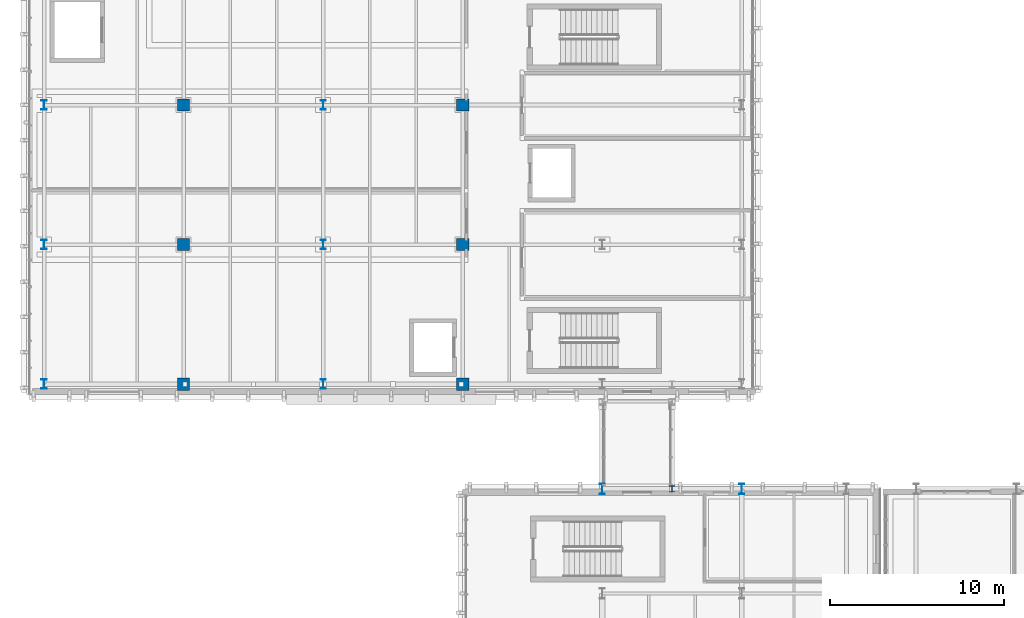
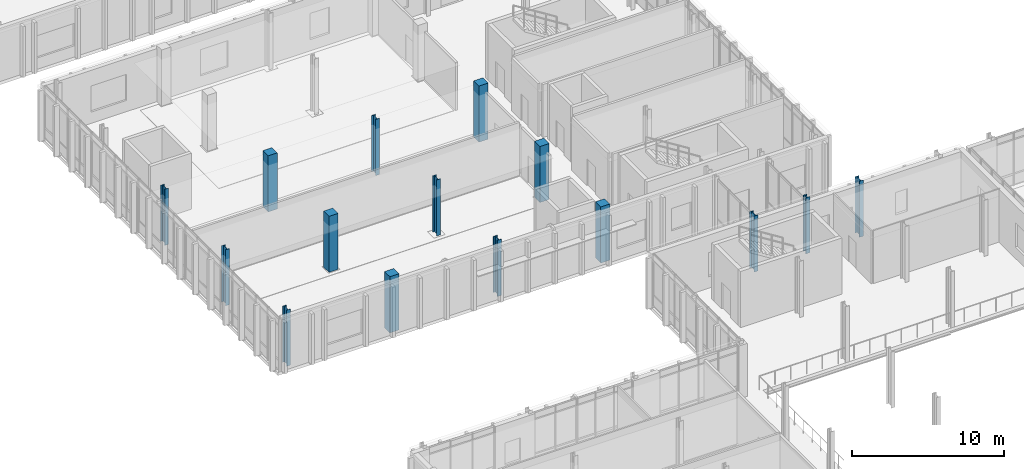
# One storey, part 3 of 100: 15 columns.
"""IFC4 building model written with IfcOpenShell, lengths in metres."""

from ifc_helpers import new_model, si_unit, direction, frame, origin, origin_2d, place, context, subcontext, project, spatial, rectangle, i_section, extrude, material, material_profile, profile_set, type_object, element, save


model = new_model("IFC4")

# Units and contexts
model_context = context("Model", 3, precision=1e-05, world=origin(), true_north=direction((0.0, 1.0)))
body_context = subcontext(model_context, "Body", "Model", "MODEL_VIEW")
ifc_project = project(units=[si_unit("LENGTHUNIT", "METRE"), si_unit("AREAUNIT", "SQUARE_METRE"), si_unit("VOLUMEUNIT", "CUBIC_METRE"), si_unit("PLANEANGLEUNIT", "RADIAN"), si_unit("MASSUNIT", "GRAM", prefix="KILO")], contexts=[model_context])

# Site, building, storey
site_placement = place(None, origin())
site = spatial("IfcSite", under=ifc_project, at=site_placement, CompositionType="ELEMENT")
building_placement = place(site_placement, origin())
building = spatial("IfcBuilding", under=site, at=building_placement, Name="Cymarion Research Institute", CompositionType="ELEMENT")
storey_placement = place(building_placement, frame((0.0, 0.0, 4.800048828125)))
storey = spatial("IfcBuildingStorey", under=building, at=storey_placement, Name="L01", CompositionType="ELEMENT", Elevation=4.800048828125)

# Columns
ifc_material_1 = material(Name="Steel S355", Category="steel")
ifc_material_profile_1 = material_profile(ifc_material_1, i_section(OverallWidth=0.300048828125, OverallDepth=0.60009765625, WebThickness=0.015380859375, FlangeThickness=0.030029296875, FilletRadius=0.027099609375, at=origin_2d()), Name="HEB 600")
ifc_profile_set_1 = profile_set([ifc_material_profile_1], Name="Steel S355")
column_type_1 = type_object("IfcColumnType", Name="STRUCTURAL COLUMN C02 HEB 600", PredefinedType="COLUMN", material=ifc_profile_set_1)
for number, where, z_axis, x_axis, name in (
    (1, (38.60009765625, 41.5, 0.0), (0.0, 0.0, 1.0), (1.0, 0.0, 0.0), "L01 V3 column C02 #520"),
    (2, (46.60009765625, 41.5, 0.0), (0.0, 0.0, 1.0), (1.0, 0.0, 0.0), "L01 V3 column C02 #540"),
):
    element("IfcColumn", number, at=place(storey_placement, frame(where, z_axis=z_axis, x_axis=x_axis)), inside=storey, type_object=column_type_1, Name=name, PredefinedType="COLUMN", context=body_context, shape_type="SweptSolid", body=[
        extrude(i_section(OverallWidth=0.300048828125, OverallDepth=0.60009765625, WebThickness=0.015380859375, FlangeThickness=0.030029296875, FilletRadius=0.027099609375, at=origin_2d()), origin(), (0.0, 0.0, 1.0), 4.5),
    ])
ifc_material_profile_2 = material_profile(ifc_material_1, i_section(OverallWidth=0.300048828125, OverallDepth=0.550048828125, WebThickness=0.014892578125, FlangeThickness=0.029052734375, FilletRadius=0.027099609375, at=origin_2d()), Name="HEB 550")
ifc_profile_set_2 = profile_set([ifc_material_profile_2], Name="Steel S355")
column_type_2 = type_object("IfcColumnType", Name="STRUCTURAL COLUMN C03 HEB 550", PredefinedType="COLUMN", material=ifc_profile_set_2)
for number, where, z_axis, x_axis, name in (
    (3, (6.60009765625, 47.5, 0.0), (0.0, 0.0, 1.0), (1.0, 0.0, 0.0), "L01 V4 column C03 #453"),
    (4, (6.60009765625, 55.5, 0.0), (0.0, 0.0, 1.0), (1.0, 0.0, 0.0), "L01 V4 column C03 #454"),
    (5, (6.60009765625, 63.5, 0.0), (0.0, 0.0, 1.0), (1.0, 0.0, 0.0), "L01 V4 column C03 #455"),
    (6, (22.60009765625, 47.5, 0.0), (0.0, 0.0, 1.0), (1.0, 0.0, 0.0), "L01 V4 column C03 #484"),
    (7, (22.60009765625, 55.5, 0.0), (0.0, 0.0, 1.0), (1.0, 0.0, 0.0), "L01 V4 column C03 #485"),
    (8, (22.60009765625, 63.5, 0.0), (0.0, 0.0, 1.0), (1.0, 0.0, 0.0), "L01 V4 column C03 #486"),
):
    element("IfcColumn", number, at=place(storey_placement, frame(where, z_axis=z_axis, x_axis=x_axis)), inside=storey, type_object=column_type_2, Name=name, PredefinedType="COLUMN", context=body_context, shape_type="SweptSolid", body=[
        extrude(i_section(OverallWidth=0.300048828125, OverallDepth=0.550048828125, WebThickness=0.014892578125, FlangeThickness=0.029052734375, FilletRadius=0.027099609375, at=origin_2d()), origin(), (0.0, 0.0, 1.0), 4.5),
    ])
ifc_material_profile_3 = material_profile(ifc_material_1, i_section(OverallWidth=0.300048828125, OverallDepth=0.360107421875, WebThickness=0.012451171875, FlangeThickness=0.0224609375, FilletRadius=0.027099609375, at=origin_2d()), Name="HEB 360")
ifc_profile_set_3 = profile_set([ifc_material_profile_3], Name="Steel S355")
column_type_3 = type_object("IfcColumnType", Name="STRUCTURAL COLUMN C07 HEB 360", PredefinedType="COLUMN", material=ifc_profile_set_3)
column_placement = place(storey_placement, frame((42.60009765625, 41.5, 0.0), z_axis=(0.0, 0.0, 1.0), x_axis=(1.0, 0.0, 0.0)))
element("IfcColumn", 9, at=column_placement, inside=storey, type_object=column_type_3, Name="L01 V3 column C07 #533", PredefinedType="COLUMN", context=body_context, shape_type="SweptSolid", body=[
    extrude(i_section(OverallWidth=0.300048828125, OverallDepth=0.360107421875, WebThickness=0.012451171875, FlangeThickness=0.0224609375, FilletRadius=0.027099609375, at=origin_2d()), origin(), (0.0, 0.0, 1.0), 4.5),
])
ifc_material_2 = material(Name="Concrete C40/50", Category="concrete")
ifc_material_profile_4 = material_profile(ifc_material_2, rectangle(XDim=0.699951171875, YDim=0.699951171875, at=origin_2d()), Name="RC 700x700")
ifc_profile_set_4 = profile_set([ifc_material_profile_4], Name="Concrete C40/50")
column_type_4 = type_object("IfcColumnType", Name="STRUCTURAL COLUMN C17 RC 700x700", PredefinedType="COLUMN", material=ifc_profile_set_4)
for number, where, z_axis, x_axis, name in (
    (10, (14.60009765625, 47.5, 0.0), (0.0, 0.0, 1.0), (1.0, 0.0, 0.0), "L01 V4 column C17 #469"),
    (11, (14.60009765625, 55.5, 0.0), (0.0, 0.0, 1.0), (1.0, 0.0, 0.0), "L01 V4 column C17 #470"),
    (12, (14.60009765625, 63.5, 0.0), (0.0, 0.0, 1.0), (1.0, 0.0, 0.0), "L01 V4 column C17 #471"),
    (13, (30.60009765625, 47.5, 0.0), (0.0, 0.0, 1.0), (1.0, 0.0, 0.0), "L01 V4 column C17 #500"),
    (14, (30.60009765625, 55.5, 0.0), (0.0, 0.0, 1.0), (1.0, 0.0, 0.0), "L01 V4 column C17 #501"),
    (15, (30.60009765625, 63.5, 0.0), (0.0, 0.0, 1.0), (1.0, 0.0, 0.0), "L01 V4 column C17 #502"),
):
    element("IfcColumn", number, at=place(storey_placement, frame(where, z_axis=z_axis, x_axis=x_axis)), inside=storey, type_object=column_type_4, Name=name, PredefinedType="COLUMN", context=body_context, shape_type="SweptSolid", body=[
        extrude(rectangle(XDim=0.699951171875, YDim=0.699951171875, at=origin_2d()), origin(), (0.0, 0.0, 1.0), 4.5),
    ])

save(model, "model.ifc")
